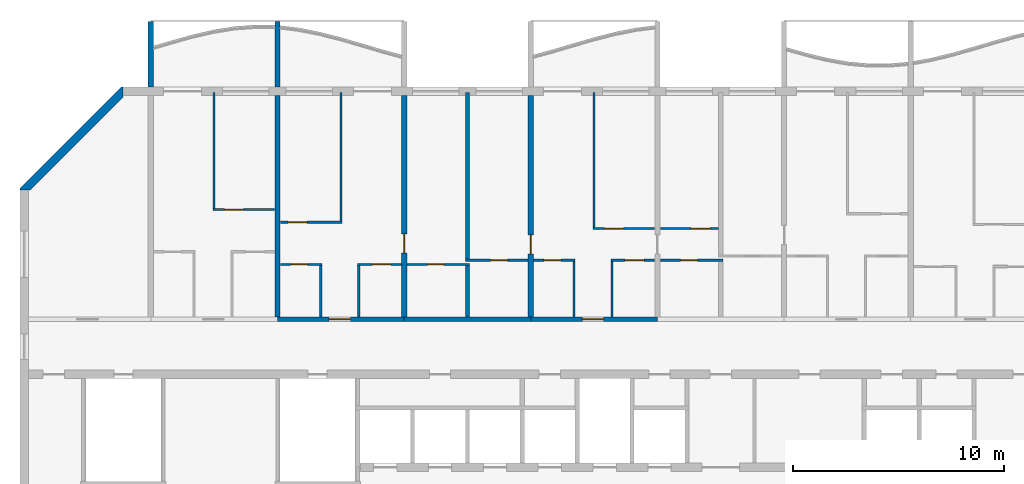
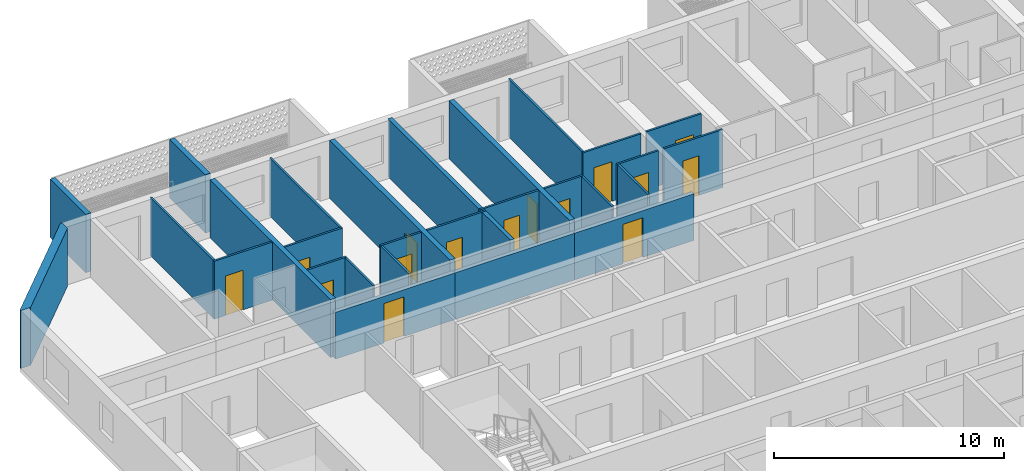
# One storey, part 8 of 28: 29 walls, 15 doors, 15 openings.
"""IFC4 building model written with IfcOpenShell, lengths in metres."""

from ifc_helpers import new_model, si_unit, direction, frame, frame_2d, origin, place, context, subcontext, project, spatial, polyline, rectangle, outline, extrude, source, transform, mapped, material, layer, layer_set, type_object, element, fill, save


model = new_model("IFC4")

# Units and contexts
model_context = context("Model", 3, precision=1e-05, world=origin(), true_north=direction((0.0, 1.0)))
body_context = subcontext(model_context, "Body", "Model", "MODEL_VIEW")
ifc_project = project(units=[si_unit("LENGTHUNIT", "METRE"), si_unit("AREAUNIT", "SQUARE_METRE"), si_unit("VOLUMEUNIT", "CUBIC_METRE"), si_unit("PLANEANGLEUNIT", "RADIAN"), si_unit("MASSUNIT", "GRAM", prefix="KILO")], contexts=[model_context])

# Site, building, storey
site_placement = place(None, origin())
site = spatial("IfcSite", under=ifc_project, at=site_placement, CompositionType="ELEMENT")
building_placement = place(site_placement, origin())
building = spatial("IfcBuilding", under=site, at=building_placement, Name="Poui Terraces", CompositionType="ELEMENT")
storey_placement = place(building_placement, frame((0.0, 0.0, 181.800048828125)))
storey = spatial("IfcBuildingStorey", under=building, at=storey_placement, Name="L50", CompositionType="ELEMENT", Elevation=181.800048828125)

# Wall, opening, door
ifc_material_1 = material(Name="Concrete 50 MPa", Category="concrete")
ifc_layer_1 = layer(ifc_material_1, 0.199951171875)
ifc_layer_set_1 = layer_set([ifc_layer_1], Name="Concrete 50 MPa")
wall_type_1 = type_object("IfcWallType", Name="CORRIDOR WALL 200 50MPa", PredefinedType="SHEAR", material=ifc_layer_set_1)
wall_1_placement = place(storey_placement, frame((30.0, 30.39990234375, 0.0), z_axis=(0.0, 0.0, 1.0), x_axis=(1.0, 0.0, 0.0)))
wall_1 = element("IfcWall", 1, at=wall_1_placement, inside=storey, type_object=wall_type_1, Name="CORRIDOR WALL LINE E BAY 3", PredefinedType="SHEAR", context=body_context, shape_type="SweptSolid", body=[
    extrude(rectangle(XDim=6.0, YDim=0.199951171875, at=frame_2d((3.0, 0.0))), origin(), (0.0, 0.0, 1.0), 2.47998046875),
])
opening_1_placement = place(wall_1_placement, frame((2.449951171875, 0.0, 0.0)))
opening_1 = element("IfcOpeningElement", 2, at=opening_1_placement, cuts=wall_1, Name="Opening FD30S", PredefinedType="OPENING", context=body_context, shape_type="SweptSolid", body=[
    extrude(rectangle(XDim=1.0, YDim=2.10009765625, at=frame_2d((0.5, 1.050048828125))), frame((0.0, 0.10986328125, 0.0), z_axis=(0.0, -1.0, 0.0), x_axis=(1.0, 0.0, 0.0)), (0.0, 0.0, 1.0), 0.219970703125),
])
ifc_material_2 = material(Name="Steel fire door", Category="steel")
door_type_1 = type_object("IfcDoorType", Name="FLAT ENTRANCE DOOR 1000 X 2100", OperationType="NOTDEFINED", PredefinedType="DOOR", material=ifc_material_2)
door_1_placement = place(opening_1_placement, origin())
door_1 = element("IfcDoor", 3, at=door_1_placement, inside=storey, type_object=door_type_1, Name="FLAT ENTRANCE DOOR 034", OperationType="SINGLE_SWING_LEFT", OverallHeight=2.10009765625, OverallWidth=1.0, PredefinedType="DOOR", context=body_context, shape_type="SweptSolid", body=[
    extrude(rectangle(XDim=1.0, YDim=2.10009765625, at=frame_2d((0.5, 1.050048828125))), frame((0.0, 0.02490234375, 0.0), z_axis=(0.0, -1.0, 0.0), x_axis=(1.0, 0.0, 0.0)), (0.0, 0.0, 1.0), 0.050048828125),
])
fill(opening_1, door_1)

# Wall
wall_2_placement = place(storey_placement, frame((36.0, 30.39990234375, 0.0), z_axis=(0.0, 0.0, 1.0), x_axis=(1.0, 0.0, 0.0)))
element("IfcWall", 4, at=wall_2_placement, inside=storey, type_object=wall_type_1, Name="CORRIDOR WALL LINE E BAY 4", PredefinedType="SHEAR", context=body_context, shape_type="SweptSolid", body=[
    extrude(rectangle(XDim=6.0, YDim=0.199951171875, at=frame_2d((3.0, 0.0))), origin(), (0.0, 0.0, 1.0), 2.47998046875),
])

# Wall, opening, door
wall_3_placement = place(storey_placement, frame((42.0, 30.39990234375, 0.0), z_axis=(0.0, 0.0, 1.0), x_axis=(1.0, 0.0, 0.0)))
wall_3 = element("IfcWall", 5, at=wall_3_placement, inside=storey, type_object=wall_type_1, Name="CORRIDOR WALL LINE E BAY 5", PredefinedType="SHEAR", context=body_context, shape_type="SweptSolid", body=[
    extrude(rectangle(XDim=6.0, YDim=0.199951171875, at=frame_2d((3.0, 0.0))), origin(), (0.0, 0.0, 1.0), 2.47998046875),
])
opening_2_placement = place(wall_3_placement, frame((2.449951171875, 0.0, 0.0)))
opening_2 = element("IfcOpeningElement", 6, at=opening_2_placement, cuts=wall_3, Name="Opening FD30S", PredefinedType="OPENING", context=body_context, shape_type="SweptSolid", body=[
    extrude(rectangle(XDim=1.0, YDim=2.10009765625, at=frame_2d((0.5, 1.050048828125))), frame((0.0, 0.10986328125, 0.0), z_axis=(0.0, -1.0, 0.0), x_axis=(1.0, 0.0, 0.0)), (0.0, 0.0, 1.0), 0.219970703125),
])
door_2_placement = place(opening_2_placement, origin())
door_2 = element("IfcDoor", 7, at=door_2_placement, inside=storey, type_object=door_type_1, Name="FLAT ENTRANCE DOOR 042", OperationType="SINGLE_SWING_LEFT", OverallHeight=2.10009765625, OverallWidth=1.0, PredefinedType="DOOR", context=body_context, shape_type="SweptSolid", body=[
    extrude(rectangle(XDim=1.0, YDim=2.10009765625, at=frame_2d((0.5, 1.050048828125))), frame((0.0, 0.02490234375, 0.0), z_axis=(0.0, -1.0, 0.0), x_axis=(1.0, 0.0, 0.0)), (0.0, 0.0, 1.0), 0.050048828125),
])
fill(opening_2, door_2)

# Wall
ifc_layer_2 = layer(ifc_material_1, 0.25)
ifc_layer_set_2 = layer_set([ifc_layer_2], Name="Concrete 50 MPa")
wall_type_2 = type_object("IfcWallType", Name="CROSS WALL 250 50MPa", PredefinedType="SHEAR", material=ifc_layer_set_2)
wall_4_placement = place(storey_placement, frame((30.0, 30.5, 0.0), z_axis=(0.0, 0.0, 1.0), x_axis=(0.0, 1.0, 0.0)))
element("IfcWall", 8, at=wall_4_placement, inside=storey, type_object=wall_type_2, Name="CROSS WALL LINE 6 NORTH", PredefinedType="SHEAR", context=body_context, shape_type="SweptSolid", body=[
    extrude(rectangle(XDim=10.5, YDim=0.25, at=frame_2d((5.25, 0.0))), origin(), (0.0, 0.0, 1.0), 3.079833984375),
])

# Wall, opening, door
wall_5_placement = place(storey_placement, frame((36.0, 30.5, 0.0), z_axis=(0.0, 0.0, 1.0), x_axis=(0.0, 1.0, 0.0)))
wall_5 = element("IfcWall", 9, at=wall_5_placement, inside=storey, type_object=wall_type_2, Name="CROSS WALL LINE 7 NORTH", PredefinedType="SHEAR", context=body_context, shape_type="SweptSolid", body=[
    extrude(rectangle(XDim=10.5, YDim=0.25, at=frame_2d((5.25, 0.0))), origin(), (0.0, 0.0, 1.0), 3.079833984375),
])
opening_3_placement = place(wall_5_placement, frame((3.050048828125, 0.0, 0.0)))
opening_3 = element("IfcOpeningElement", 10, at=opening_3_placement, cuts=wall_5, Name="Opening D90", PredefinedType="OPENING", context=body_context, shape_type="SweptSolid", body=[
    extrude(rectangle(XDim=0.89990234375, YDim=2.10009765625, at=frame_2d((0.449951171875, 1.050048828125))), frame((0.0, 0.135009765625, 0.0), z_axis=(0.0, -1.0, 0.0), x_axis=(1.0, 0.0, 0.0)), (0.0, 0.0, 1.0), 0.27001953125),
])
ifc_material_3 = material(Name="Solid core timber door", Category="wood")
door_type_2 = type_object("IfcDoorType", Name="INTERNAL DOOR 900 X 2100", OperationType="NOTDEFINED", PredefinedType="DOOR", material=ifc_material_3)
door_3_placement = place(opening_3_placement, frame((0.89990234375, 0.0, 0.0), z_axis=(0.0, 0.0, 1.0), x_axis=(-1.0, 0.0, 0.0)))
door_3 = element("IfcDoor", 11, at=door_3_placement, inside=storey, type_object=door_type_2, Name="INTERNAL DOOR 036", OperationType="SINGLE_SWING_RIGHT", OverallHeight=2.10009765625, OverallWidth=0.89990234375, PredefinedType="DOOR", context=body_context, shape_type="SweptSolid", body=[
    extrude(rectangle(XDim=0.89990234375, YDim=2.10009765625, at=frame_2d((0.449951171875, 1.050048828125))), frame((0.0, 0.02490234375, 0.0), z_axis=(0.0, -1.0, 0.0), x_axis=(1.0, 0.0, 0.0)), (0.0, 0.0, 1.0), 0.050048828125),
])
fill(opening_3, door_3)

wall_6_placement = place(storey_placement, frame((42.0, 30.5, 0.0), z_axis=(0.0, 0.0, 1.0), x_axis=(0.0, 1.0, 0.0)))
wall_6 = element("IfcWall", 12, at=wall_6_placement, inside=storey, type_object=wall_type_2, Name="CROSS WALL LINE 8 NORTH", PredefinedType="SHEAR", context=body_context, shape_type="SweptSolid", body=[
    extrude(rectangle(XDim=10.5, YDim=0.25, at=frame_2d((5.25, 0.0))), origin(), (0.0, 0.0, 1.0), 3.079833984375),
])
opening_4_placement = place(wall_6_placement, frame((3.0, 0.0, 0.0)))
opening_4 = element("IfcOpeningElement", 13, at=opening_4_placement, cuts=wall_6, Name="Opening D90", PredefinedType="OPENING", context=body_context, shape_type="SweptSolid", body=[
    extrude(rectangle(XDim=0.89990234375, YDim=2.10009765625, at=frame_2d((0.449951171875, 1.050048828125))), frame((0.0, 0.135009765625, 0.0), z_axis=(0.0, -1.0, 0.0), x_axis=(1.0, 0.0, 0.0)), (0.0, 0.0, 1.0), 0.27001953125),
])
door_4_placement = place(opening_4_placement, origin())
door_4 = element("IfcDoor", 14, at=door_4_placement, inside=storey, type_object=door_type_2, Name="INTERNAL DOOR 040", OperationType="SINGLE_SWING_LEFT", OverallHeight=2.10009765625, OverallWidth=0.89990234375, PredefinedType="DOOR", context=body_context, shape_type="SweptSolid", body=[
    extrude(rectangle(XDim=0.89990234375, YDim=2.10009765625, at=frame_2d((0.449951171875, 1.050048828125))), frame((0.0, 0.02490234375, 0.0), z_axis=(0.0, -1.0, 0.0), x_axis=(1.0, 0.0, 0.0)), (0.0, 0.0, 1.0), 0.050048828125),
])
fill(opening_4, door_4)

ifc_material_4 = material(Name="Plasterboard partition")
ifc_layer_3 = layer(ifc_material_4, 0.10009765625)
ifc_layer_set_3 = layer_set([ifc_layer_3], Name="Plasterboard partition")
wall_type_3 = type_object("IfcWallType", Name="FLAT PARTITION 100", PredefinedType="PARTITIONING", material=ifc_layer_set_3)
wall_7_placement = place(storey_placement, frame((30.135009765625, 33.0, 0.0), z_axis=(0.0, 0.0, 1.0), x_axis=(1.0, 0.0, 0.0)))
wall_7 = element("IfcWall", 15, at=wall_7_placement, inside=storey, type_object=wall_type_3, Name="FLAT PARTITION 100", PredefinedType="PARTITIONING", context=body_context, shape_type="SweptSolid", body=[
    extrude(rectangle(XDim=1.965087890625, YDim=0.10009765625, at=frame_2d((0.982421875, 0.0))), origin(), (0.0, 0.0, 1.0), 3.079833984375),
])
opening_5_placement = place(wall_7_placement, frame((0.489990234375, 0.0, 0.0)))
opening_5 = element("IfcOpeningElement", 16, at=opening_5_placement, cuts=wall_7, Name="Opening D80", PredefinedType="OPENING", context=body_context, shape_type="SweptSolid", body=[
    extrude(rectangle(XDim=0.800048828125, YDim=2.10009765625, at=frame_2d((0.39990234375, 1.050048828125))), frame((0.0, 0.06005859375, 0.0), z_axis=(0.0, -1.0, 0.0), x_axis=(1.0, 0.0, 0.0)), (0.0, 0.0, 1.0), 0.1201171875),
])
door_type_3 = type_object("IfcDoorType", Name="BATHROOM, LAUNDRY AND STORE DOOR 800 X 2100", OperationType="NOTDEFINED", PredefinedType="DOOR", material=ifc_material_3)
door_5_placement = place(opening_5_placement, frame((0.800048828125, 0.0, 0.0), z_axis=(0.0, 0.0, 1.0), x_axis=(-1.0, 0.0, 0.0)))
door_5 = element("IfcDoor", 17, at=door_5_placement, inside=storey, type_object=door_type_3, Name="BATHROOM, LAUNDRY AND STORE DOOR 033", OperationType="SINGLE_SWING_RIGHT", OverallHeight=2.10009765625, OverallWidth=0.800048828125, PredefinedType="DOOR", context=body_context, shape_type="SweptSolid", body=[
    extrude(rectangle(XDim=0.800048828125, YDim=2.10009765625, at=frame_2d((0.39990234375, 1.050048828125))), frame((0.0, 0.02490234375, 0.0), z_axis=(0.0, -1.0, 0.0), x_axis=(1.0, 0.0, 0.0)), (0.0, 0.0, 1.0), 0.050048828125),
])
fill(opening_5, door_5)

wall_8_placement = place(storey_placement, frame((33.800048828125, 33.0, 0.0), z_axis=(0.0, 0.0, 1.0), x_axis=(1.0, 0.0, 0.0)))
wall_8 = element("IfcWall", 18, at=wall_8_placement, inside=storey, type_object=wall_type_3, Name="FLAT PARTITION 100", PredefinedType="PARTITIONING", context=body_context, shape_type="SweptSolid", body=[
    extrude(rectangle(XDim=2.06494140625, YDim=0.10009765625, at=frame_2d((1.032470703125, 0.0))), origin(), (0.0, 0.0, 1.0), 3.079833984375),
])
opening_6_placement = place(wall_8_placement, frame((0.675048828125, 0.0, 0.0)))
opening_6 = element("IfcOpeningElement", 19, at=opening_6_placement, cuts=wall_8, Name="Opening D90", PredefinedType="OPENING", context=body_context, shape_type="SweptSolid", body=[
    extrude(rectangle(XDim=0.89990234375, YDim=2.10009765625, at=frame_2d((0.449951171875, 1.050048828125))), frame((0.0, 0.06005859375, 0.0), z_axis=(0.0, -1.0, 0.0), x_axis=(1.0, 0.0, 0.0)), (0.0, 0.0, 1.0), 0.1201171875),
])
door_6_placement = place(opening_6_placement, frame((0.89990234375, 0.0, 0.0), z_axis=(0.0, 0.0, 1.0), x_axis=(-1.0, 0.0, 0.0)))
door_6 = element("IfcDoor", 20, at=door_6_placement, inside=storey, type_object=door_type_2, Name="INTERNAL DOOR 035", OperationType="SINGLE_SWING_LEFT", OverallHeight=2.10009765625, OverallWidth=0.89990234375, PredefinedType="DOOR", context=body_context, shape_type="SweptSolid", body=[
    extrude(rectangle(XDim=0.89990234375, YDim=2.10009765625, at=frame_2d((0.449951171875, 1.050048828125))), frame((0.0, 0.02490234375, 0.0), z_axis=(0.0, -1.0, 0.0), x_axis=(1.0, 0.0, 0.0)), (0.0, 0.0, 1.0), 0.050048828125),
])
fill(opening_6, door_6)

wall_9_placement = place(storey_placement, frame((36.135009765625, 33.0, 0.0), z_axis=(0.0, 0.0, 1.0), x_axis=(1.0, 0.0, 0.0)))
wall_9 = element("IfcWall", 21, at=wall_9_placement, inside=storey, type_object=wall_type_3, Name="FLAT PARTITION 100", PredefinedType="PARTITIONING", context=body_context, shape_type="SweptSolid", body=[
    extrude(rectangle(XDim=2.965087890625, YDim=0.10009765625, at=frame_2d((1.482421875, 0.0))), origin(), (0.0, 0.0, 1.0), 3.079833984375),
])
opening_7_placement = place(wall_9_placement, frame((0.965087890625, 0.0, 0.0)))
opening_7 = element("IfcOpeningElement", 22, at=opening_7_placement, cuts=wall_9, Name="Opening D80", PredefinedType="OPENING", context=body_context, shape_type="SweptSolid", body=[
    extrude(rectangle(XDim=0.800048828125, YDim=2.10009765625, at=frame_2d((0.39990234375, 1.050048828125))), frame((0.0, 0.06005859375, 0.0), z_axis=(0.0, -1.0, 0.0), x_axis=(1.0, 0.0, 0.0)), (0.0, 0.0, 1.0), 0.1201171875),
])
door_7_placement = place(opening_7_placement, frame((0.800048828125, 0.0, 0.0), z_axis=(0.0, 0.0, 1.0), x_axis=(-1.0, 0.0, 0.0)))
door_7 = element("IfcDoor", 23, at=door_7_placement, inside=storey, type_object=door_type_3, Name="BATHROOM, LAUNDRY AND STORE DOOR 031", OperationType="SINGLE_SWING_RIGHT", OverallHeight=2.10009765625, OverallWidth=0.800048828125, PredefinedType="DOOR", context=body_context, shape_type="SweptSolid", body=[
    extrude(rectangle(XDim=0.800048828125, YDim=2.10009765625, at=frame_2d((0.39990234375, 1.050048828125))), frame((0.0, 0.02490234375, 0.0), z_axis=(0.0, -1.0, 0.0), x_axis=(1.0, 0.0, 0.0)), (0.0, 0.0, 1.0), 0.050048828125),
])
fill(opening_7, door_7)

wall_10_placement = place(storey_placement, frame((38.89990234375, 33.199951171875, 0.0), z_axis=(0.0, 0.0, 1.0), x_axis=(1.0, 0.0, 0.0)))
wall_10 = element("IfcWall", 24, at=wall_10_placement, inside=storey, type_object=wall_type_3, Name="FLAT PARTITION 100", PredefinedType="PARTITIONING", context=body_context, shape_type="SweptSolid", body=[
    extrude(rectangle(XDim=2.965087890625, YDim=0.10009765625, at=frame_2d((1.482421875, 0.0))), origin(), (0.0, 0.0, 1.0), 3.079833984375),
])
opening_8_placement = place(wall_10_placement, frame((1.199951171875, 0.0, 0.0)))
opening_8 = element("IfcOpeningElement", 25, at=opening_8_placement, cuts=wall_10, Name="Opening D80", PredefinedType="OPENING", context=body_context, shape_type="SweptSolid", body=[
    extrude(rectangle(XDim=0.800048828125, YDim=2.10009765625, at=frame_2d((0.39990234375, 1.050048828125))), frame((0.0, 0.06005859375, 0.0), z_axis=(0.0, -1.0, 0.0), x_axis=(1.0, 0.0, 0.0)), (0.0, 0.0, 1.0), 0.1201171875),
])
door_8_placement = place(opening_8_placement, frame((0.800048828125, 0.0, 0.0), z_axis=(0.0, 0.0, 1.0), x_axis=(-1.0, 0.0, 0.0)))
door_8 = element("IfcDoor", 26, at=door_8_placement, inside=storey, type_object=door_type_3, Name="BATHROOM, LAUNDRY AND STORE DOOR 037", OperationType="SINGLE_SWING_LEFT", OverallHeight=2.10009765625, OverallWidth=0.800048828125, PredefinedType="DOOR", context=body_context, shape_type="SweptSolid", body=[
    extrude(rectangle(XDim=0.800048828125, YDim=2.10009765625, at=frame_2d((0.39990234375, 1.050048828125))), frame((0.0, 0.02490234375, 0.0), z_axis=(0.0, -1.0, 0.0), x_axis=(1.0, 0.0, 0.0)), (0.0, 0.0, 1.0), 0.050048828125),
])
fill(opening_8, door_8)

wall_11_placement = place(storey_placement, frame((42.135009765625, 33.199951171875, 0.0), z_axis=(0.0, 0.0, 1.0), x_axis=(1.0, 0.0, 0.0)))
wall_11 = element("IfcWall", 27, at=wall_11_placement, inside=storey, type_object=wall_type_3, Name="FLAT PARTITION 100", PredefinedType="PARTITIONING", context=body_context, shape_type="SweptSolid", body=[
    extrude(rectangle(XDim=1.965087890625, YDim=0.10009765625, at=frame_2d((0.982421875, 0.0))), origin(), (0.0, 0.0, 1.0), 3.079833984375),
])
opening_9_placement = place(wall_11_placement, frame((0.489990234375, 0.0, 0.0)))
opening_9 = element("IfcOpeningElement", 28, at=opening_9_placement, cuts=wall_11, Name="Opening D80", PredefinedType="OPENING", context=body_context, shape_type="SweptSolid", body=[
    extrude(rectangle(XDim=0.800048828125, YDim=2.10009765625, at=frame_2d((0.39990234375, 1.050048828125))), frame((0.0, 0.06005859375, 0.0), z_axis=(0.0, -1.0, 0.0), x_axis=(1.0, 0.0, 0.0)), (0.0, 0.0, 1.0), 0.1201171875),
])
door_9_placement = place(opening_9_placement, frame((0.800048828125, 0.0, 0.0), z_axis=(0.0, 0.0, 1.0), x_axis=(-1.0, 0.0, 0.0)))
door_9 = element("IfcDoor", 29, at=door_9_placement, inside=storey, type_object=door_type_3, Name="BATHROOM, LAUNDRY AND STORE DOOR 041", OperationType="SINGLE_SWING_LEFT", OverallHeight=2.10009765625, OverallWidth=0.800048828125, PredefinedType="DOOR", context=body_context, shape_type="SweptSolid", body=[
    extrude(rectangle(XDim=0.800048828125, YDim=2.10009765625, at=frame_2d((0.39990234375, 1.050048828125))), frame((0.0, 0.02490234375, 0.0), z_axis=(0.0, -1.0, 0.0), x_axis=(1.0, 0.0, 0.0)), (0.0, 0.0, 1.0), 0.050048828125),
])
fill(opening_9, door_9)

wall_12_placement = place(storey_placement, frame((45.800048828125, 33.199951171875, 0.0), z_axis=(0.0, 0.0, 1.0), x_axis=(1.0, 0.0, 0.0)))
wall_12 = element("IfcWall", 30, at=wall_12_placement, inside=storey, type_object=wall_type_3, Name="FLAT PARTITION 100", PredefinedType="PARTITIONING", context=body_context, shape_type="SweptSolid", body=[
    extrude(rectangle(XDim=2.06494140625, YDim=0.10009765625, at=frame_2d((1.032470703125, 0.0))), origin(), (0.0, 0.0, 1.0), 3.079833984375),
])
opening_10_placement = place(wall_12_placement, frame((0.675048828125, 0.0, 0.0)))
opening_10 = element("IfcOpeningElement", 31, at=opening_10_placement, cuts=wall_12, Name="Opening D90", PredefinedType="OPENING", context=body_context, shape_type="SweptSolid", body=[
    extrude(rectangle(XDim=0.89990234375, YDim=2.10009765625, at=frame_2d((0.449951171875, 1.050048828125))), frame((0.0, 0.06005859375, 0.0), z_axis=(0.0, -1.0, 0.0), x_axis=(1.0, 0.0, 0.0)), (0.0, 0.0, 1.0), 0.1201171875),
])
door_10_placement = place(opening_10_placement, frame((0.89990234375, 0.0, 0.0), z_axis=(0.0, 0.0, 1.0), x_axis=(-1.0, 0.0, 0.0)))
door_10 = element("IfcDoor", 32, at=door_10_placement, inside=storey, type_object=door_type_2, Name="INTERNAL DOOR 044", OperationType="SINGLE_SWING_RIGHT", OverallHeight=2.10009765625, OverallWidth=0.89990234375, PredefinedType="DOOR", context=body_context, shape_type="SweptSolid", body=[
    extrude(rectangle(XDim=0.89990234375, YDim=2.10009765625, at=frame_2d((0.449951171875, 1.050048828125))), frame((0.0, 0.02490234375, 0.0), z_axis=(0.0, -1.0, 0.0), x_axis=(1.0, 0.0, 0.0)), (0.0, 0.0, 1.0), 0.050048828125),
])
fill(opening_10, door_10)

wall_13_placement = place(storey_placement, frame((48.135009765625, 33.199951171875, 0.0), z_axis=(0.0, 0.0, 1.0), x_axis=(1.0, 0.0, 0.0)))
wall_13 = element("IfcWall", 33, at=wall_13_placement, inside=storey, type_object=wall_type_3, Name="FLAT PARTITION 100", PredefinedType="PARTITIONING", context=body_context, shape_type="SweptSolid", body=[
    extrude(rectangle(XDim=2.965087890625, YDim=0.10009765625, at=frame_2d((1.482421875, 0.0))), origin(), (0.0, 0.0, 1.0), 3.079833984375),
])
opening_11_placement = place(wall_13_placement, frame((0.965087890625, 0.0, 0.0)))
opening_11 = element("IfcOpeningElement", 34, at=opening_11_placement, cuts=wall_13, Name="Opening D80", PredefinedType="OPENING", context=body_context, shape_type="SweptSolid", body=[
    extrude(rectangle(XDim=0.800048828125, YDim=2.10009765625, at=frame_2d((0.39990234375, 1.050048828125))), frame((0.0, 0.06005859375, 0.0), z_axis=(0.0, -1.0, 0.0), x_axis=(1.0, 0.0, 0.0)), (0.0, 0.0, 1.0), 0.1201171875),
])
door_11_placement = place(opening_11_placement, frame((0.800048828125, 0.0, 0.0), z_axis=(0.0, 0.0, 1.0), x_axis=(-1.0, 0.0, 0.0)))
door_11 = element("IfcDoor", 35, at=door_11_placement, inside=storey, type_object=door_type_3, Name="BATHROOM, LAUNDRY AND STORE DOOR 038", OperationType="SINGLE_SWING_RIGHT", OverallHeight=2.10009765625, OverallWidth=0.800048828125, PredefinedType="DOOR", context=body_context, shape_type="SweptSolid", body=[
    extrude(rectangle(XDim=0.800048828125, YDim=2.10009765625, at=frame_2d((0.39990234375, 1.050048828125))), frame((0.0, 0.02490234375, 0.0), z_axis=(0.0, -1.0, 0.0), x_axis=(1.0, 0.0, 0.0)), (0.0, 0.0, 1.0), 0.050048828125),
])
fill(opening_11, door_11)

wall_14_placement = place(storey_placement, frame((44.949951171875, 34.699951171875, 0.0), z_axis=(0.0, 0.0, 1.0), x_axis=(1.0, 0.0, 0.0)))
wall_14 = element("IfcWall", 36, at=wall_14_placement, inside=storey, type_object=wall_type_3, Name="FLAT PARTITION 100", PredefinedType="PARTITIONING", context=body_context, shape_type="SweptSolid", body=[
    extrude(rectangle(XDim=2.9150390625, YDim=0.10009765625, at=frame_2d((1.45751953125, 0.0))), origin(), (0.0, 0.0, 1.0), 3.079833984375),
])
opening_12_placement = place(wall_14_placement, frame((0.550048828125, 0.0, 0.0)))
opening_12 = element("IfcOpeningElement", 37, at=opening_12_placement, cuts=wall_14, Name="Opening D90", PredefinedType="OPENING", context=body_context, shape_type="SweptSolid", body=[
    extrude(rectangle(XDim=0.89990234375, YDim=2.10009765625, at=frame_2d((0.449951171875, 1.050048828125))), frame((0.0, 0.06005859375, 0.0), z_axis=(0.0, -1.0, 0.0), x_axis=(1.0, 0.0, 0.0)), (0.0, 0.0, 1.0), 0.1201171875),
])
door_12_placement = place(opening_12_placement, frame((0.89990234375, 0.0, 0.0), z_axis=(0.0, 0.0, 1.0), x_axis=(-1.0, 0.0, 0.0)))
door_12 = element("IfcDoor", 38, at=door_12_placement, inside=storey, type_object=door_type_2, Name="INTERNAL DOOR 043", OperationType="SINGLE_SWING_LEFT", OverallHeight=2.10009765625, OverallWidth=0.89990234375, PredefinedType="DOOR", context=body_context, shape_type="SweptSolid", body=[
    extrude(rectangle(XDim=0.89990234375, YDim=2.10009765625, at=frame_2d((0.449951171875, 1.050048828125))), frame((0.0, 0.02490234375, 0.0), z_axis=(0.0, -1.0, 0.0), x_axis=(1.0, 0.0, 0.0)), (0.0, 0.0, 1.0), 0.050048828125),
])
fill(opening_12, door_12)

wall_15_placement = place(storey_placement, frame((48.135009765625, 34.699951171875, 0.0), z_axis=(0.0, 0.0, 1.0), x_axis=(1.0, 0.0, 0.0)))
wall_15 = element("IfcWall", 39, at=wall_15_placement, inside=storey, type_object=wall_type_3, Name="FLAT PARTITION 100", PredefinedType="PARTITIONING", context=body_context, shape_type="SweptSolid", body=[
    extrude(rectangle(XDim=2.764892578125, YDim=0.10009765625, at=frame_2d((1.38232421875, 0.0))), origin(), (0.0, 0.0, 1.0), 3.079833984375),
])
opening_13_placement = place(wall_15_placement, frame((1.465087890625, 0.0, 0.0)))
opening_13 = element("IfcOpeningElement", 40, at=opening_13_placement, cuts=wall_15, Name="Opening D90", PredefinedType="OPENING", context=body_context, shape_type="SweptSolid", body=[
    extrude(rectangle(XDim=0.89990234375, YDim=2.10009765625, at=frame_2d((0.449951171875, 1.050048828125))), frame((0.0, 0.06005859375, 0.0), z_axis=(0.0, -1.0, 0.0), x_axis=(1.0, 0.0, 0.0)), (0.0, 0.0, 1.0), 0.1201171875),
])
door_13_placement = place(opening_13_placement, origin())
door_13 = element("IfcDoor", 41, at=door_13_placement, inside=storey, type_object=door_type_2, Name="INTERNAL DOOR 039", OperationType="SINGLE_SWING_RIGHT", OverallHeight=2.10009765625, OverallWidth=0.89990234375, PredefinedType="DOOR", context=body_context, shape_type="SweptSolid", body=[
    extrude(rectangle(XDim=0.89990234375, YDim=2.10009765625, at=frame_2d((0.449951171875, 1.050048828125))), frame((0.0, 0.02490234375, 0.0), z_axis=(0.0, -1.0, 0.0), x_axis=(1.0, 0.0, 0.0)), (0.0, 0.0, 1.0), 0.050048828125),
])
fill(opening_13, door_13)

wall_16_placement = place(storey_placement, frame((30.135009765625, 35.0, 0.0), z_axis=(0.0, 0.0, 1.0), x_axis=(1.0, 0.0, 0.0)))
wall_16 = element("IfcWall", 42, at=wall_16_placement, inside=storey, type_object=wall_type_3, Name="FLAT PARTITION 100", PredefinedType="PARTITIONING", context=body_context, shape_type="SweptSolid", body=[
    extrude(rectangle(XDim=2.9150390625, YDim=0.10009765625, at=frame_2d((1.45751953125, 0.0))), origin(), (0.0, 0.0, 1.0), 3.079833984375),
])
opening_14_placement = place(wall_16_placement, frame((0.364990234375, 0.0, 0.0)))
opening_14 = element("IfcOpeningElement", 43, at=opening_14_placement, cuts=wall_16, Name="Opening D90", PredefinedType="OPENING", context=body_context, shape_type="SweptSolid", body=[
    extrude(rectangle(XDim=0.89990234375, YDim=2.10009765625, at=frame_2d((0.449951171875, 1.050048828125))), frame((0.0, 0.06005859375, 0.0), z_axis=(0.0, -1.0, 0.0), x_axis=(1.0, 0.0, 0.0)), (0.0, 0.0, 1.0), 0.1201171875),
])
door_14_placement = place(opening_14_placement, frame((0.89990234375, 0.0, 0.0), z_axis=(0.0, 0.0, 1.0), x_axis=(-1.0, 0.0, 0.0)))
door_14 = element("IfcDoor", 44, at=door_14_placement, inside=storey, type_object=door_type_2, Name="INTERNAL DOOR 032", OperationType="SINGLE_SWING_LEFT", OverallHeight=2.10009765625, OverallWidth=0.89990234375, PredefinedType="DOOR", context=body_context, shape_type="SweptSolid", body=[
    extrude(rectangle(XDim=0.89990234375, YDim=2.10009765625, at=frame_2d((0.449951171875, 1.050048828125))), frame((0.0, 0.02490234375, 0.0), z_axis=(0.0, -1.0, 0.0), x_axis=(1.0, 0.0, 0.0)), (0.0, 0.0, 1.0), 0.050048828125),
])
fill(opening_14, door_14)

wall_17_placement = place(storey_placement, frame((26.949951171875, 35.60009765625, 0.0), z_axis=(0.0, 0.0, 1.0), x_axis=(1.0, 0.0, 0.0)))
wall_17 = element("IfcWall", 45, at=wall_17_placement, inside=storey, type_object=wall_type_3, Name="FLAT PARTITION 100", PredefinedType="PARTITIONING", context=body_context, shape_type="SweptSolid", body=[
    extrude(rectangle(XDim=2.9150390625, YDim=0.10009765625, at=frame_2d((1.45751953125, 0.0))), origin(), (0.0, 0.0, 1.0), 3.079833984375),
])
opening_15_placement = place(wall_17_placement, frame((0.550048828125, 0.0, 0.0)))
opening_15 = element("IfcOpeningElement", 46, at=opening_15_placement, cuts=wall_17, Name="Opening D90", PredefinedType="OPENING", context=body_context, shape_type="SweptSolid", body=[
    extrude(rectangle(XDim=0.89990234375, YDim=2.10009765625, at=frame_2d((0.449951171875, 1.050048828125))), frame((0.0, 0.06005859375, 0.0), z_axis=(0.0, -1.0, 0.0), x_axis=(1.0, 0.0, 0.0)), (0.0, 0.0, 1.0), 0.1201171875),
])
door_15_placement = place(opening_15_placement, frame((0.89990234375, 0.0, 0.0), z_axis=(0.0, 0.0, 1.0), x_axis=(-1.0, 0.0, 0.0)))
door_15 = element("IfcDoor", 47, at=door_15_placement, inside=storey, type_object=door_type_2, Name="INTERNAL DOOR 029", OperationType="SINGLE_SWING_LEFT", OverallHeight=2.10009765625, OverallWidth=0.89990234375, PredefinedType="DOOR", context=body_context, shape_type="SweptSolid", body=[
    extrude(rectangle(XDim=0.89990234375, YDim=2.10009765625, at=frame_2d((0.449951171875, 1.050048828125))), frame((0.0, 0.02490234375, 0.0), z_axis=(0.0, -1.0, 0.0), x_axis=(1.0, 0.0, 0.0)), (0.0, 0.0, 1.0), 0.050048828125),
])
fill(opening_15, door_15)

# Walls
wall_18_placement = place(storey_placement, frame((27.0, 35.64990234375, 0.0), z_axis=(0.0, 0.0, 1.0), x_axis=(0.0, 1.0, 0.0)))
element("IfcWall", 48, at=wall_18_placement, inside=storey, type_object=wall_type_3, Name="FLAT PARTITION 100", PredefinedType="PARTITIONING", context=body_context, shape_type="SweptSolid", body=[
    extrude(rectangle(XDim=5.489990234375, YDim=0.10009765625, at=frame_2d((2.7451171875, 0.0))), origin(), (0.0, 0.0, 1.0), 3.079833984375),
])
wall_19_placement = place(storey_placement, frame((32.050048828125, 30.510009765625, 0.0), z_axis=(0.0, 0.0, 1.0), x_axis=(0.0, 1.0, 0.0)))
element("IfcWall", 49, at=wall_19_placement, inside=storey, type_object=wall_type_3, Name="FLAT PARTITION 100", PredefinedType="PARTITIONING", context=body_context, shape_type="SweptSolid", body=[
    extrude(rectangle(XDim=2.43994140625, YDim=0.10009765625, at=frame_2d((1.219970703125, 0.0))), origin(), (0.0, 0.0, 1.0), 3.079833984375),
])
wall_20_placement = place(storey_placement, frame((33.0, 35.050048828125, 0.0), z_axis=(0.0, 0.0, 1.0), x_axis=(0.0, 1.0, 0.0)))
element("IfcWall", 50, at=wall_20_placement, inside=storey, type_object=wall_type_3, Name="FLAT PARTITION 100", PredefinedType="PARTITIONING", context=body_context, shape_type="SweptSolid", body=[
    extrude(rectangle(XDim=6.08984375, YDim=0.10009765625, at=frame_2d((3.044921875, 0.0))), origin(), (0.0, 0.0, 1.0), 3.079833984375),
])
wall_21_placement = place(storey_placement, frame((33.85009765625, 30.510009765625, 0.0), z_axis=(0.0, 0.0, 1.0), x_axis=(0.0, 1.0, 0.0)))
element("IfcWall", 51, at=wall_21_placement, inside=storey, type_object=wall_type_3, Name="FLAT PARTITION 100", PredefinedType="PARTITIONING", context=body_context, shape_type="SweptSolid", body=[
    extrude(rectangle(XDim=2.43994140625, YDim=0.10009765625, at=frame_2d((1.219970703125, 0.0))), origin(), (0.0, 0.0, 1.0), 3.079833984375),
])
wall_22_placement = place(storey_placement, frame((44.050048828125, 30.510009765625, 0.0), z_axis=(0.0, 0.0, 1.0), x_axis=(0.0, 1.0, 0.0)))
element("IfcWall", 52, at=wall_22_placement, inside=storey, type_object=wall_type_3, Name="FLAT PARTITION 100", PredefinedType="PARTITIONING", context=body_context, shape_type="SweptSolid", body=[
    extrude(rectangle(XDim=2.639892578125, YDim=0.10009765625, at=frame_2d((1.31982421875, 0.0))), origin(), (0.0, 0.0, 1.0), 3.079833984375),
])
wall_23_placement = place(storey_placement, frame((45.0, 34.75, 0.0), z_axis=(0.0, 0.0, 1.0), x_axis=(0.0, 1.0, 0.0)))
element("IfcWall", 53, at=wall_23_placement, inside=storey, type_object=wall_type_3, Name="FLAT PARTITION 100", PredefinedType="PARTITIONING", context=body_context, shape_type="SweptSolid", body=[
    extrude(rectangle(XDim=6.389892578125, YDim=0.10009765625, at=frame_2d((3.19482421875, 0.0))), origin(), (0.0, 0.0, 1.0), 3.079833984375),
])
wall_24_placement = place(storey_placement, frame((45.85009765625, 30.510009765625, 0.0), z_axis=(0.0, 0.0, 1.0), x_axis=(0.0, 1.0, 0.0)))
element("IfcWall", 54, at=wall_24_placement, inside=storey, type_object=wall_type_3, Name="FLAT PARTITION 100", PredefinedType="PARTITIONING", context=body_context, shape_type="SweptSolid", body=[
    extrude(rectangle(XDim=2.639892578125, YDim=0.10009765625, at=frame_2d((1.31982421875, 0.0))), origin(), (0.0, 0.0, 1.0), 3.079833984375),
])
ifc_material_5 = material(Name="Fire-rated masonry wall", Category="masonry")
ifc_layer_4 = layer(ifc_material_5, 0.199951171875)
ifc_layer_set_4 = layer_set([ifc_layer_4], Name="Fire-rated masonry wall")
wall_type_4 = type_object("IfcWallType", Name="FLAT PARTY WALL 200", PredefinedType="PARTITIONING", material=ifc_layer_set_4)
wall_25_placement = place(storey_placement, frame((39.0, 30.510009765625, 0.0), z_axis=(0.0, 0.0, 1.0), x_axis=(0.0, 1.0, 0.0)))
element("IfcWall", 55, at=wall_25_placement, inside=storey, type_object=wall_type_4, Name="FLAT PARTY WALL 200", PredefinedType="PARTITIONING", context=body_context, shape_type="SweptSolid", body=[
    extrude(rectangle(XDim=2.43994140625, YDim=0.199951171875, at=frame_2d((1.219970703125, 0.0))), origin(), (0.0, 0.0, 1.0), 3.079833984375),
])
wall_26_placement = place(storey_placement, frame((39.0, 33.25, 0.0), z_axis=(0.0, 0.0, 1.0), x_axis=(0.0, 1.0, 0.0)))
element("IfcWall", 56, at=wall_26_placement, inside=storey, type_object=wall_type_4, Name="FLAT PARTY WALL 200", PredefinedType="PARTITIONING", context=body_context, shape_type="SweptSolid", body=[
    extrude(rectangle(XDim=7.889892578125, YDim=0.199951171875, at=frame_2d((3.94482421875, 0.0))), origin(), (0.0, 0.0, 1.0), 3.079833984375),
])
ifc_material_6 = material(Name="Precast concrete 40 MPa", Category="concrete")
ifc_layer_5 = layer(ifc_material_6, 0.39990234375)
ifc_layer_set_5 = layer_set([ifc_layer_5], Name="Precast concrete 40 MPa")
wall_type_5 = type_object("IfcWallType", Name="TERRACOTTA CLAD CHAMFER WALL 400", PredefinedType="STANDARD", material=ifc_layer_set_5)
wall_27_placement = place(storey_placement, origin())
element("IfcWall", 57, at=wall_27_placement, inside=storey, type_object=wall_type_5, Name="CHAMFER WALL CH05", PredefinedType="STANDARD", context=body_context, shape_type="SweptSolid", body=[
    extrude(outline(polyline([(22.682861328125, 41.39990234375), (22.60009765625, 41.39990234375), (17.800048828125, 36.60009765625), (17.800048828125, 36.51708984375), (18.28271484375, 36.51708984375), (22.682861328125, 40.917236328125), (22.682861328125, 41.39990234375)])), origin(), (0.0, 0.0, 1.0), 3.079833984375),
])
ifc_layer_6 = layer(ifc_material_6, 0.25)
ifc_layer_set_6 = layer_set([ifc_layer_6], Name="Precast concrete 40 MPa")
wall_type_6 = type_object("IfcWallType", Name="BALCONY FIN 250", PredefinedType="STANDARD", material=ifc_layer_set_6)
shared_shape = source(origin(), body_context, "Body", "SweptSolid", [
    extrude(outline(polyline([(0.0, 0.0), (0.25, 0.0), (0.25, 3.10009765625), (0.0, 3.10009765625), (0.0, 0.0)])), origin(), (0.0, 0.0, 1.0), 3.099853515625),
])
for number, where, name in (
    (58, (23.875, 41.39990234375, 0.0), "BALCONY FIN"),
    (59, (29.875, 41.39990234375, 0.0), "BALCONY FIN"),
):
    element("IfcWall", number, at=place(storey_placement, frame(where)), inside=storey, type_object=wall_type_6, Name=name, PredefinedType="STANDARD", context=body_context, shape_type="MappedRepresentation", body=[
        mapped(shared_shape, transform((0.0, 0.0, 0.0))),
    ])

save(model, "model.ifc")
